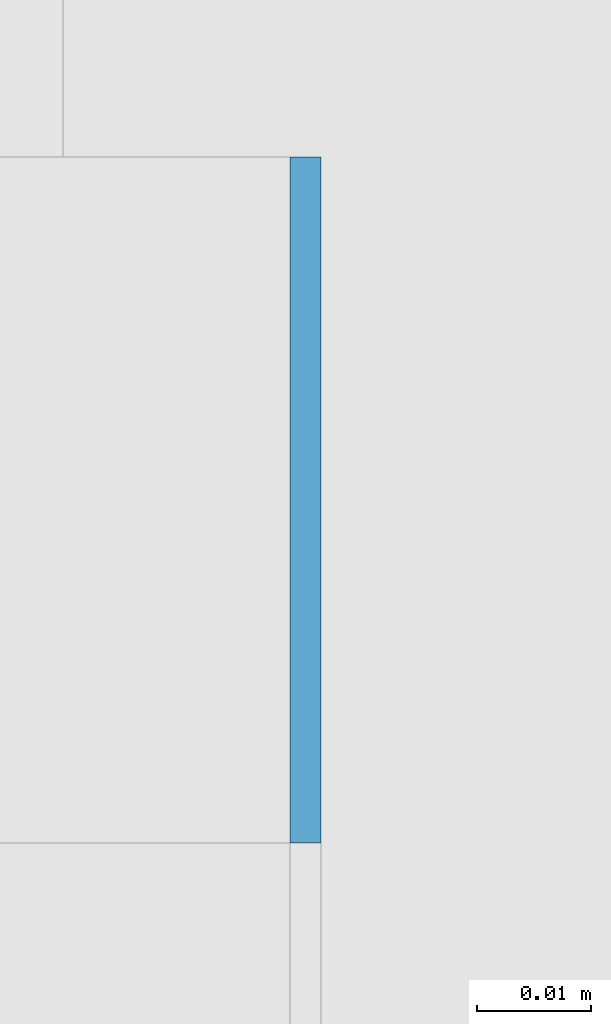
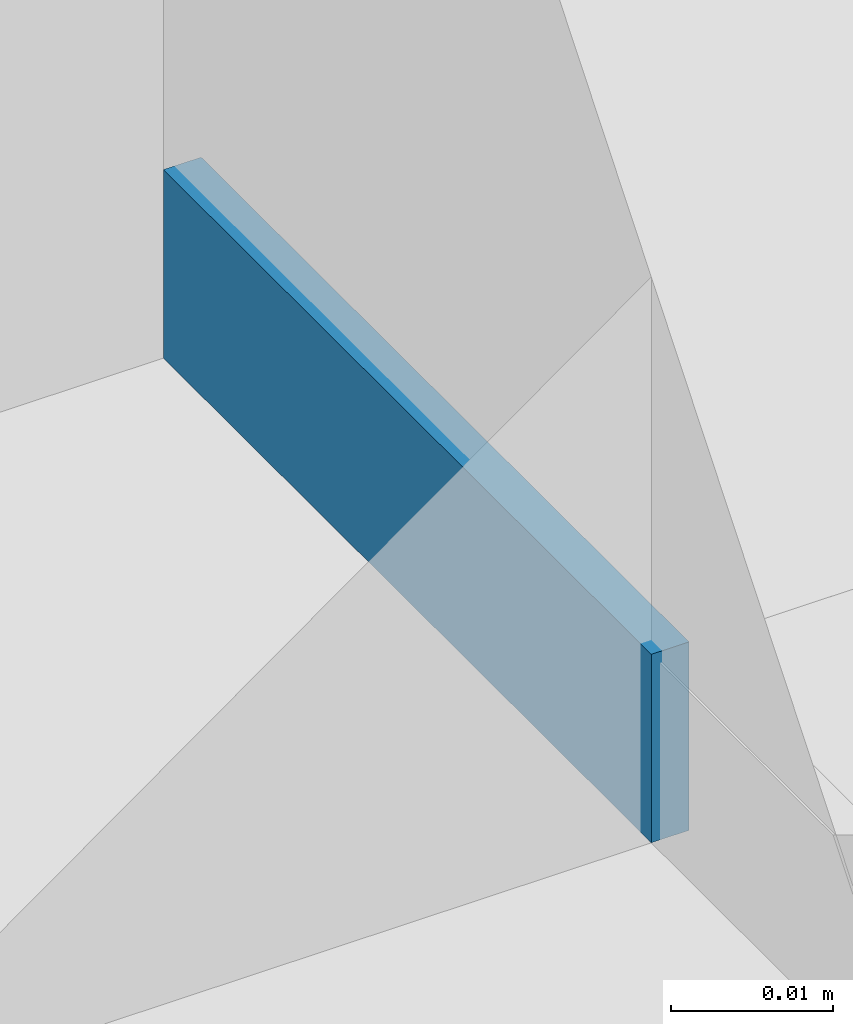
# One storey, part 286 of 646: 1 discrete accessory.
"""IFC4 building model written with IfcOpenShell, lengths in metres."""

from ifc_helpers import new_model, si_unit, direction, frame, origin, origin_2d, place, context, subcontext, project, spatial, rectangle, extrude, material, type_object, element, save


model = new_model("IFC4")

# Units and contexts
model_context = context("Model", 3, precision=1e-05, world=origin(), true_north=direction((0.0, 1.0)))
body_context = subcontext(model_context, "Body", "Model", "MODEL_VIEW")
ifc_project = project(units=[si_unit("LENGTHUNIT", "METRE"), si_unit("AREAUNIT", "SQUARE_METRE"), si_unit("VOLUMEUNIT", "CUBIC_METRE"), si_unit("PLANEANGLEUNIT", "RADIAN"), si_unit("MASSUNIT", "GRAM", prefix="KILO")], contexts=[model_context])

# Site, building, storey
site_placement = place(None, origin())
site = spatial("IfcSite", under=ifc_project, at=site_placement, CompositionType="ELEMENT")
building_placement = place(site_placement, origin())
building = spatial("IfcBuilding", under=site, at=building_placement, Name="Silverbay Arena", CompositionType="ELEMENT")
storey_placement = place(building_placement, frame((0.0, 0.0, 33.5)))
storey = spatial("IfcBuildingStorey", under=building, at=storey_placement, Name="L05", CompositionType="ELEMENT", Elevation=33.5)

# Discrete accessory
ifc_material = material(Name="Steel S355", Category="steel")
discrete_accessory_type = type_object("IfcDiscreteAccessoryType", Name="Steel bracket plate", PredefinedType="BRACKET", material=ifc_material)
discrete_accessory_placement = place(storey_placement, frame((53.871337890625, 54.030029296875, 4.0), z_axis=(0.0, 0.0, 1.0), x_axis=(1.0, 0.0, 0.0)))
element("IfcDiscreteAccessory", 1, at=discrete_accessory_placement, inside=storey, type_object=discrete_accessory_type, Name="Curtain wall packing plate", PredefinedType="BRACKET", context=body_context, shape_type="SweptSolid", body=[
    extrude(rectangle(XDim=0.002685546875, YDim=0.06005859375, at=origin_2d()), origin(), (0.0, 0.0, 1.0), 0.01416015625),
])

save(model, "model.ifc")
